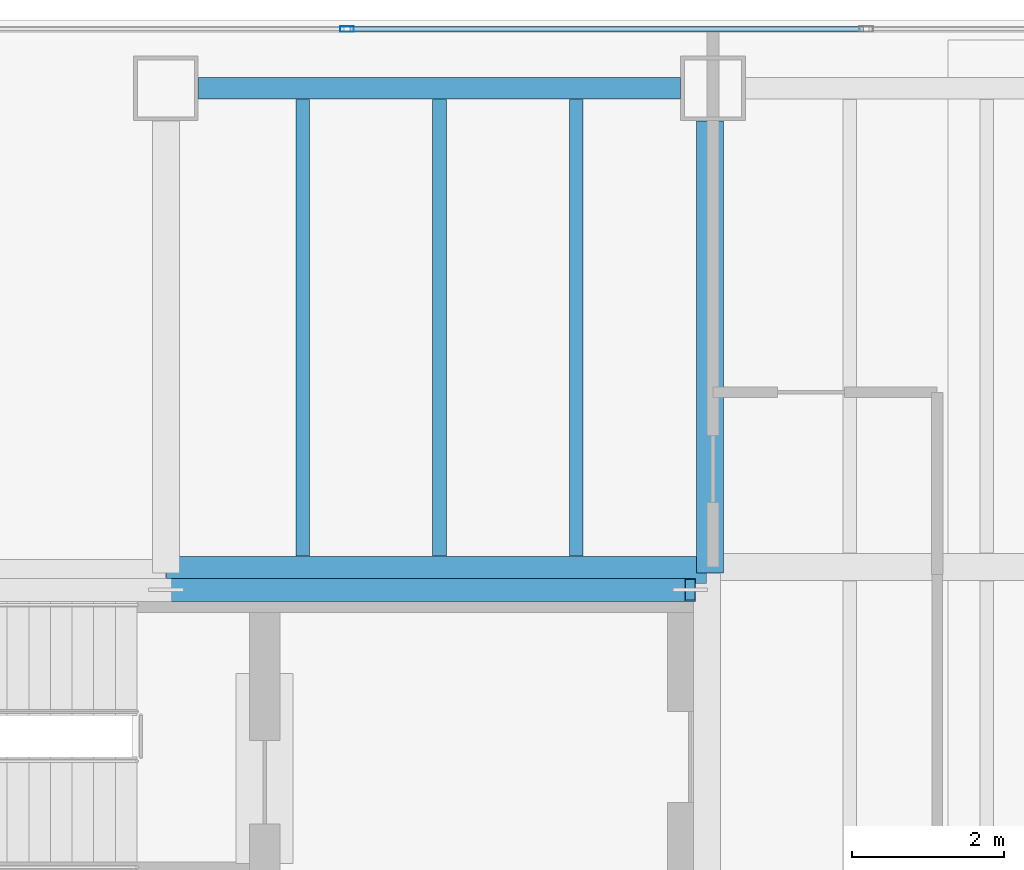
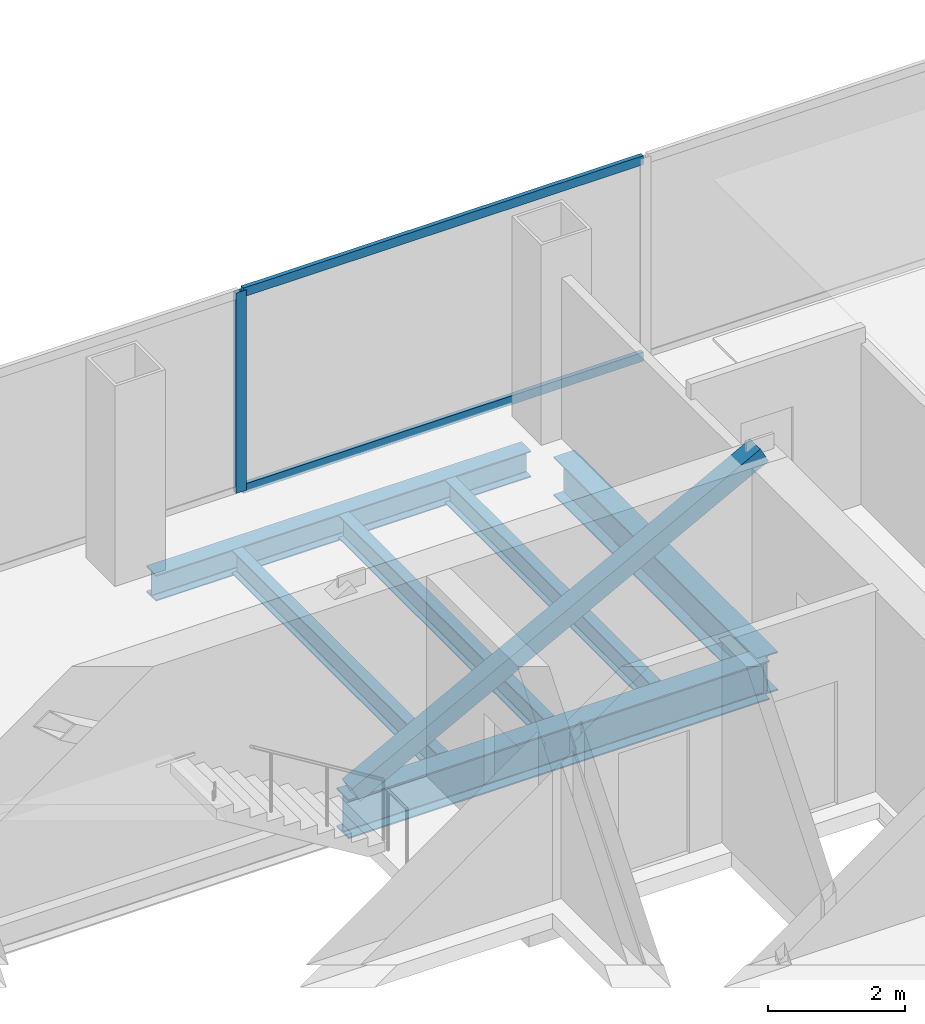
# One storey, part 17 of 24: 6 beams, 4 members, 1 element without a shape of its own.
"""IFC4 building model written with IfcOpenShell, lengths in metres."""

from ifc_helpers import new_model, si_unit, direction, frame, origin, origin_2d, place, context, subcontext, project, spatial, hollow_rectangle, i_section, extrude, material, material_profile, profile_set, type_object, element, aggregate, save


model = new_model("IFC4")

# Units and contexts
model_context = context("Model", 3, precision=1e-05, world=origin(), true_north=direction((0.0, 1.0)))
body_context = subcontext(model_context, "Body", "Model", "MODEL_VIEW")
ifc_project = project(units=[si_unit("LENGTHUNIT", "METRE"), si_unit("AREAUNIT", "SQUARE_METRE"), si_unit("VOLUMEUNIT", "CUBIC_METRE"), si_unit("PLANEANGLEUNIT", "RADIAN"), si_unit("MASSUNIT", "GRAM", prefix="KILO")], contexts=[model_context])

# Site, building, storey
site_placement = place(None, origin())
site = spatial("IfcSite", under=ifc_project, at=site_placement, CompositionType="ELEMENT")
building_placement = place(site_placement, origin())
building = spatial("IfcBuilding", under=site, at=building_placement, Name="Cobrela Telecom Tower", CompositionType="ELEMENT")
storey_placement = place(building_placement, frame((0.0, 0.0, 152.25)))
storey = spatial("IfcBuildingStorey", under=building, at=storey_placement, Name="L38", CompositionType="ELEMENT", Elevation=152.25)

# Beams
ifc_material_1 = material(Name="Steel ASTM A992 Grade 50", Category="steel")
ifc_material_profile_1 = material_profile(ifc_material_1, i_section(OverallWidth=0.35595703125, OverallDepth=0.696044921875, WebThickness=0.015380859375, FlangeThickness=0.024658203125, FilletRadius=0.01806640625, at=origin_2d()), Name="W27X146")
ifc_profile_set_1 = profile_set([ifc_material_profile_1], Name="Steel ASTM A992 Grade 50")
beam_type_1 = type_object("IfcBeamType", Name="BM-GIRD-05", PredefinedType="USERDEFINED", material=ifc_profile_set_1)
beam_1_placement = place(storey_placement, frame((7.205078125, 35.9599609375, -0.617919921875), z_axis=(1.0, 0.0, 0.0), x_axis=(0.0, 1.0, 0.0)))
element("IfcBeam", 1, at=beam_1_placement, inside=storey, type_object=beam_type_1, Name="L38 Primary Girder X26", ObjectType="GIRDER", PredefinedType="USERDEFINED", context=body_context, shape_type="SweptSolid", body=[
    extrude(i_section(OverallWidth=0.35595703125, OverallDepth=0.696044921875, WebThickness=0.015380859375, FlangeThickness=0.024658203125, FilletRadius=0.01806640625, at=origin_2d()), origin(), (0.0, 0.0, 1.0), 7.10986328125),
])
beam_2_placement = place(storey_placement, frame((14.360107421875, 35.925048828125, -0.617919921875), z_axis=(0.0, 1.0, 0.0), x_axis=(-1.0, 0.0, 0.0)))
element("IfcBeam", 2, at=beam_2_placement, inside=storey, type_object=beam_type_1, Name="L38 Primary Girder Y38", ObjectType="GIRDER", PredefinedType="USERDEFINED", context=body_context, shape_type="SweptSolid", body=[
    extrude(i_section(OverallWidth=0.35595703125, OverallDepth=0.696044921875, WebThickness=0.015380859375, FlangeThickness=0.024658203125, FilletRadius=0.01806640625, at=origin_2d()), origin(), (0.0, 0.0, 1.0), 5.945068359375),
])
ifc_material_profile_2 = material_profile(ifc_material_1, i_section(OverallWidth=0.179931640625, OverallDepth=0.4169921875, WebThickness=0.010986328125, FlangeThickness=0.01806640625, FilletRadius=0.011962890625, at=origin_2d()), Name="W16X57")
ifc_profile_set_2 = profile_set([ifc_material_profile_2], Name="Steel ASTM A992 Grade 50")
beam_type_2 = type_object("IfcBeamType", Name="BM-JOIST-04", PredefinedType="JOIST", material=ifc_profile_set_2)
for number, where, z_axis, x_axis, name in (
    (3, (9.0, 36.14306640625, -0.478515625), (0.0, 1.0, 0.0), (-1.0, 0.0, 0.0), "L38 Secondary Composite Floor Beam J01"),
    (4, (10.800048828125, 36.14306640625, -0.478515625), (0.0, 1.0, 0.0), (-1.0, 0.0, 0.0), "L38 Secondary Composite Floor Beam J02"),
    (5, (12.60009765625, 36.14306640625, -0.478515625), (0.0, 1.0, 0.0), (-1.0, 0.0, 0.0), "L38 Secondary Composite Floor Beam J03"),
):
    element("IfcBeam", number, at=place(storey_placement, frame(where, z_axis=z_axis, x_axis=x_axis)), inside=storey, type_object=beam_type_2, Name=name, PredefinedType="JOIST", context=body_context, shape_type="SweptSolid", body=[
        extrude(i_section(OverallWidth=0.179931640625, OverallDepth=0.4169921875, WebThickness=0.010986328125, FlangeThickness=0.01806640625, FilletRadius=0.011962890625, at=origin_2d()), origin(), (0.0, 0.0, 1.0), 6.010986328125),
    ])
ifc_material_profile_3 = material_profile(ifc_material_1, i_section(OverallWidth=0.281982421875, OverallDepth=0.467041015625, WebThickness=0.01220703125, FlangeThickness=0.01953125, FilletRadius=0.012939453125, at=origin_2d()), Name="W18X86")
ifc_profile_set_3 = profile_set([ifc_material_profile_3], Name="Steel ASTM A992 Grade 50")
beam_type_3 = type_object("IfcBeamType", Name="BM-SPAND-04", PredefinedType="SPANDREL", material=ifc_profile_set_3)
beam_3_placement = place(storey_placement, frame((7.6298828125, 42.300048828125, -0.50341796875), z_axis=(1.0, 0.0, 0.0), x_axis=(0.0, 1.0, 0.0)))
element("IfcBeam", 6, at=beam_3_placement, inside=storey, type_object=beam_type_3, Name="L38 Perimeter Spandrel X29", PredefinedType="SPANDREL", context=body_context, shape_type="SweptSolid", body=[
    extrude(i_section(OverallWidth=0.281982421875, OverallDepth=0.467041015625, WebThickness=0.01220703125, FlangeThickness=0.01953125, FilletRadius=0.012939453125, at=origin_2d()), origin(), (0.0, 0.0, 1.0), 6.340087890625),
])

# Curtain wall, members
ifc_material_2 = material(Name="Anodized Bronze Aluminium 6063-T6", Category="aluminium")
curtain_wall_type = type_object("IfcCurtainWallType", Name="CW-SYS-TEL", PredefinedType="USERDEFINED", material=ifc_material_2)
curtain_wall_placement = place(storey_placement, origin())
curtain_wall = element("IfcCurtainWall", 7, at=curtain_wall_placement, inside=storey, type_object=curtain_wall_type, Name="L38 Unitised Bronze Curtain Wall 07", ObjectType="UNITISED CURTAIN WALL", PredefinedType="USERDEFINED")
ifc_material_profile_4 = material_profile(ifc_material_2, hollow_rectangle(XDim=0.074951171875, YDim=0.179931640625, WallThickness=0.00390625, at=origin_2d()), Name="ALU 75x180x4")
ifc_profile_set_4 = profile_set([ifc_material_profile_4], Name="Anodized Bronze Aluminium 6063-T6")
member_type_1 = type_object("IfcMemberType", Name="CW-SYS-TEL-MUL", PredefinedType="MULLION", material=ifc_profile_set_4)
member_1_placement = place(storey_placement, frame((9.583251953125, 43.080078125, 0.0), z_axis=(0.0, 0.0, 1.0), x_axis=(0.0, 1.0, 0.0)))
member_1 = element("IfcMember", 8, at=member_1_placement, type_object=member_type_1, Name="CW-TEL mullion 2", PredefinedType="MULLION", context=body_context, shape_type="SweptSolid", body=[
    extrude(hollow_rectangle(XDim=0.074951171875, YDim=0.179931640625, WallThickness=0.00390625, at=origin_2d()), origin(), (0.0, 0.0, 1.0), 3.580078125),
])
ifc_material_profile_5 = material_profile(ifc_material_2, hollow_rectangle(XDim=0.070068359375, YDim=0.159912109375, WallThickness=0.00390625, at=origin_2d()), Name="ALU 70x160x4")
ifc_profile_set_5 = profile_set([ifc_material_profile_5], Name="Anodized Bronze Aluminium 6063-T6")
member_type_2 = type_object("IfcMemberType", Name="CW-SYS-TEL-TRN", PredefinedType="USERDEFINED", material=ifc_profile_set_5)
member_2_placement = place(storey_placement, frame((9.620849609375, 43.080078125, 0.034912109375), z_axis=(1.0, 0.0, 0.0), x_axis=(0.0, 1.0, 0.0)))
member_2 = element("IfcMember", 9, at=member_2_placement, type_object=member_type_2, Name="CW-TEL transom 2.1", ObjectType="TRANSOM", PredefinedType="USERDEFINED", context=body_context, shape_type="SweptSolid", body=[
    extrude(hollow_rectangle(XDim=0.070068359375, YDim=0.159912109375, WallThickness=0.00390625, at=origin_2d()), origin(), (0.0, 0.0, 1.0), 6.75830078125),
])
member_3_placement = place(storey_placement, frame((9.620849609375, 43.080078125, 3.544921875), z_axis=(1.0, 0.0, 0.0), x_axis=(0.0, 1.0, 0.0)))
member_3 = element("IfcMember", 10, at=member_3_placement, type_object=member_type_2, Name="CW-TEL transom 2.2", ObjectType="TRANSOM", PredefinedType="USERDEFINED", context=body_context, shape_type="SweptSolid", body=[
    extrude(hollow_rectangle(XDim=0.070068359375, YDim=0.159912109375, WallThickness=0.00390625, at=origin_2d()), origin(), (0.0, 0.0, 1.0), 6.75830078125),
])
aggregate(curtain_wall, [member_1, member_2, member_3])

# Member
ifc_material_3 = material(Name="Steel ASTM A572 Grade 50", Category="steel")
ifc_material_profile_6 = material_profile(ifc_material_3, hollow_rectangle(XDim=0.300048828125, YDim=0.300048828125, WallThickness=0.01611328125, at=origin_2d()), Name="HSS 300x300x16")
ifc_profile_set_6 = profile_set([ifc_material_profile_6], Name="Steel ASTM A572 Grade 50")
member_type_3 = type_object("IfcMemberType", Name="MBR-EXO-03", PredefinedType="BRACE", material=ifc_profile_set_6)
member_4_placement = place(storey_placement, frame((7.199951171875, 35.699951171875, -0.0400390625), z_axis=(0.883409759267, 0.0, 0.468601320134), x_axis=(0.0, 1.0, 0.0)))
element("IfcMember", 11, at=member_4_placement, inside=storey, type_object=member_type_3, Name="L38 Core Flange Steel Brace N2", PredefinedType="BRACE", context=body_context, shape_type="SweptSolid", body=[
    extrude(hollow_rectangle(XDim=0.300048828125, YDim=0.300048828125, WallThickness=0.01611328125, at=origin_2d()), origin(), (0.0, 0.0, 1.0), 7.810791015625),
])

save(model, "model.ifc")
